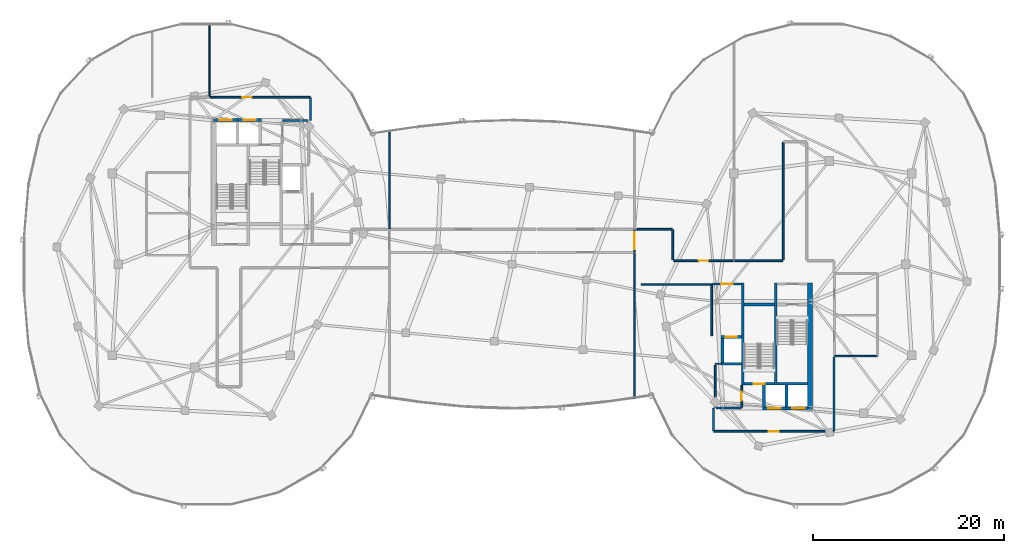
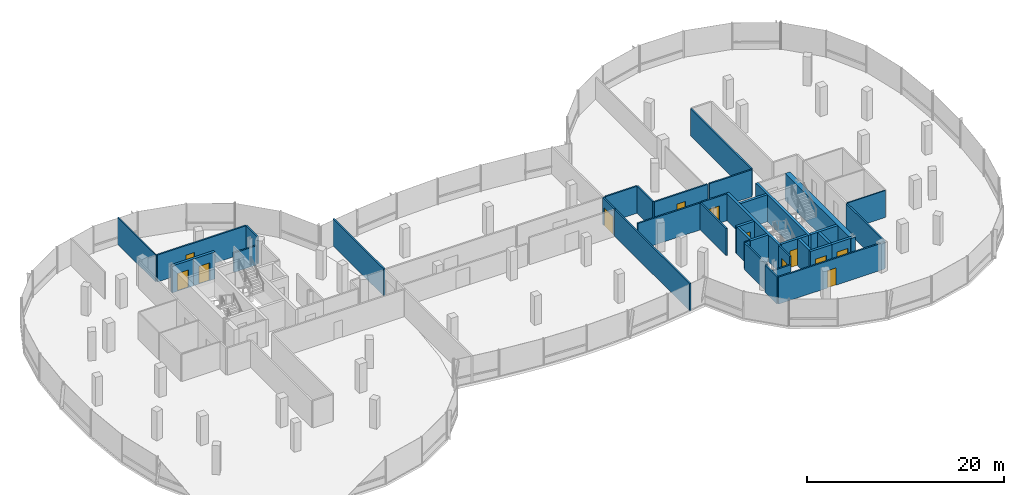
# One storey, part 15 of 24: 38 walls, 12 doors, 12 openings.
"""IFC4 building model written with IfcOpenShell, lengths in metres."""

from ifc_helpers import new_model, si_unit, direction, frame, frame_2d, origin, place, context, subcontext, project, spatial, rectangle, extrude, material, layer, layer_set, type_object, element, fill, save


model = new_model("IFC4")

# Units and contexts
model_context = context("Model", 3, precision=1e-05, world=origin(), true_north=direction((0.0, 1.0)))
body_context = subcontext(model_context, "Body", "Model", "MODEL_VIEW")
ifc_project = project(units=[si_unit("LENGTHUNIT", "METRE"), si_unit("AREAUNIT", "SQUARE_METRE"), si_unit("VOLUMEUNIT", "CUBIC_METRE"), si_unit("PLANEANGLEUNIT", "RADIAN"), si_unit("MASSUNIT", "GRAM", prefix="KILO"), si_unit("THERMODYNAMICTEMPERATUREUNIT", "KELVIN"), si_unit("POWERUNIT", "WATT")], contexts=[model_context])

# Site, building, storey
site_placement = place(None, origin())
site = spatial("IfcSite", under=ifc_project, at=site_placement, CompositionType="ELEMENT")
building_placement = place(site_placement, origin())
building = spatial("IfcBuilding", under=site, at=building_placement, Name="Cundina Bronze Exchange", CompositionType="ELEMENT")
storey_placement = place(building_placement, frame((0.0, 0.0, 268.39990234375)))
storey = spatial("IfcBuildingStorey", under=building, at=storey_placement, Name="L71", CompositionType="ELEMENT", Elevation=268.39990234375)

# Wall
ifc_material_1 = material(Name="Gypsum Fireboard Partition EI120")
ifc_layer_1 = layer(ifc_material_1, 0.179931640625, Name="Gypsum Fireboard Partition EI120")
ifc_layer_set_1 = layer_set([ifc_layer_1], Name="Gypsum Fireboard Partition EI120")
wall_type_1 = type_object("IfcWallType", Name="WL-COR-180", PredefinedType="PARTITIONING", material=ifc_layer_set_1)
wall_1_placement = place(storey_placement, frame((20.889892578125, -7.449951171875, 0.0), z_axis=(0.0, 0.0, 1.0), x_axis=(0.0, 1.0, 0.0)))
element("IfcWall", 1, at=wall_1_placement, inside=storey, type_object=wall_type_1, Name="L71 E Firefighting Lobby Side Wall", PredefinedType="PARTITIONING", context=body_context, shape_type="SweptSolid", body=[
    extrude(rectangle(XDim=5.300048828125, YDim=0.179931640625, at=frame_2d((2.64990234375, 0.0))), origin(), (0.0, 0.0, 1.0), 3.340087890625),
])

# Wall, opening, door
wall_2_placement = place(storey_placement, frame((20.97998046875, -2.06005859375, 0.0), z_axis=(0.0, 0.0, 1.0), x_axis=(1.0, 0.0, 0.0)))
wall_2 = element("IfcWall", 2, at=wall_2_placement, inside=storey, type_object=wall_type_1, Name="L71 E Firefighting Lobby Exit Wall", PredefinedType="PARTITIONING", context=body_context, shape_type="SweptSolid", body=[
    extrude(rectangle(XDim=3.0, YDim=0.179931640625, at=frame_2d((1.5, 0.0))), origin(), (0.0, 0.0, 1.0), 3.340087890625),
])
opening_1_placement = place(wall_2_placement, frame((0.89990234375, 0.0, 0.0)))
opening_1 = element("IfcOpeningElement", 3, at=opening_1_placement, cuts=wall_2, Name="Opening DF-01", PredefinedType="OPENING", context=body_context, shape_type="SweptSolid", body=[
    extrude(rectangle(XDim=1.199951171875, YDim=2.14990234375, at=frame_2d((0.60009765625, 1.074951171875))), frame((0.0, 0.099853515625, 0.0), z_axis=(0.0, -1.0, 0.0), x_axis=(1.0, 0.0, 0.0)), (0.0, 0.0, 1.0), 0.199951171875),
])
ifc_material_2 = material(Name="Steel ASTM A36 Painted", Category="steel")
door_type_1 = type_object("IfcDoorType", Name="DR-FFL-1200", OperationType="NOTDEFINED", PredefinedType="DOOR", material=ifc_material_2)
door_1_placement = place(opening_1_placement, origin())
door_1 = element("IfcDoor", 4, at=door_1_placement, inside=storey, type_object=door_type_1, Name="L71 E Firefighting Lobby Door", OperationType="SINGLE_SWING_LEFT", OverallHeight=2.14990234375, OverallWidth=1.199951171875, PredefinedType="DOOR", context=body_context, shape_type="SweptSolid", body=[
    extrude(rectangle(XDim=1.199951171875, YDim=2.14990234375, at=frame_2d((0.60009765625, 1.074951171875))), frame((0.0, 0.02490234375, 0.0), z_axis=(0.0, -1.0, 0.0), x_axis=(1.0, 0.0, 0.0)), (0.0, 0.0, 1.0), 0.050048828125),
])
fill(opening_1, door_1)

# Wall
wall_3_placement = place(storey_placement, frame((-23.9599609375, 15.030029296875, 0.0), z_axis=(0.0, 0.0, 1.0), x_axis=(1.0, 0.0, 0.0)))
element("IfcWall", 5, at=wall_3_placement, inside=storey, type_object=wall_type_1, Name="L71 Interior Partition 003", PredefinedType="PARTITIONING", context=body_context, shape_type="SweptSolid", body=[
    extrude(rectangle(XDim=2.60986328125, YDim=0.179931640625, at=frame_2d((1.304931640625, 0.0))), origin(), (0.0, 0.0, 1.0), 2.4130859375),
])

# Wall, opening, door
wall_4_placement = place(storey_placement, frame((-21.12158203125, 17.469970703125, 0.0), z_axis=(0.0, 0.0, 1.0), x_axis=(-1.0, 0.0, 0.0)))
wall_4 = element("IfcWall", 6, at=wall_4_placement, inside=storey, type_object=wall_type_1, Name="L71 Interior Partition 022", PredefinedType="PARTITIONING", context=body_context, shape_type="SweptSolid", body=[
    extrude(rectangle(XDim=10.428466796875, YDim=0.179931640625, at=frame_2d((5.21435546875, 0.0))), origin(), (0.0, 0.0, 1.0), 3.340087890625),
])
opening_2_placement = place(wall_4_placement, frame((6.092529296875, 0.0, 0.0)))
opening_2 = element("IfcOpeningElement", 7, at=opening_2_placement, cuts=wall_4, Name="Opening DO-01", PredefinedType="OPENING", context=body_context, shape_type="SweptSolid", body=[
    extrude(rectangle(XDim=1.0, YDim=2.14990234375, at=frame_2d((0.5, 1.074951171875))), frame((0.0, 0.099853515625, 0.0), z_axis=(0.0, -1.0, 0.0), x_axis=(1.0, 0.0, 0.0)), (0.0, 0.0, 1.0), 0.199951171875),
])
ifc_material_3 = material(Name="Solid Andean Oak Timber Grade A", Category="wood")
door_type_2 = type_object("IfcDoorType", Name="DR-OFF-1000", OperationType="NOTDEFINED", PredefinedType="DOOR", material=ifc_material_3)
door_2_placement = place(opening_2_placement, origin())
door_2 = element("IfcDoor", 8, at=door_2_placement, inside=storey, type_object=door_type_2, Name="L71 Interior Door 022", OperationType="SINGLE_SWING_LEFT", OverallHeight=2.14990234375, OverallWidth=1.0, PredefinedType="DOOR", context=body_context, shape_type="SweptSolid", body=[
    extrude(rectangle(XDim=1.0, YDim=2.14990234375, at=frame_2d((0.5, 1.074951171875))), frame((0.0, 0.02490234375, 0.0), z_axis=(0.0, -1.0, 0.0), x_axis=(1.0, 0.0, 0.0)), (0.0, 0.0, 1.0), 0.050048828125),
])
fill(opening_2, door_2)

# Walls
wall_5_placement = place(storey_placement, frame((-21.080078125, 15.071533203125, 0.0), z_axis=(0.0, 0.0, 1.0), x_axis=(0.0, 1.0, 0.0)))
element("IfcWall", 9, at=wall_5_placement, inside=storey, type_object=wall_type_1, Name="L71 Interior Partition 025", PredefinedType="PARTITIONING", context=body_context, shape_type="SweptSolid", body=[
    extrude(rectangle(XDim=2.35693359375, YDim=0.179931640625, at=frame_2d((1.178466796875, 0.0))), origin(), (0.0, 0.0, 1.0), 3.340087890625),
])
wall_6_placement = place(storey_placement, frame((21.25, -14.929931640625, 0.0), z_axis=(0.0, 0.0, 1.0), x_axis=(0.0, 1.0, 0.0)))
element("IfcWall", 10, at=wall_6_placement, inside=storey, type_object=wall_type_1, Name="L71 Interior Partition 028", PredefinedType="PARTITIONING", context=body_context, shape_type="SweptSolid", body=[
    extrude(rectangle(XDim=4.35986328125, YDim=0.179931640625, at=frame_2d((2.179931640625, 0.0))), origin(), (0.0, 0.0, 1.0), 3.340087890625),
])
wall_7_placement = place(storey_placement, frame((21.35009765625, -15.030029296875, 0.0), z_axis=(0.0, 0.0, 1.0), x_axis=(1.0, 0.0, 0.0)))
element("IfcWall", 11, at=wall_7_placement, inside=storey, type_object=wall_type_1, Name="L71 Interior Partition 029", PredefinedType="PARTITIONING", context=body_context, shape_type="SweptSolid", body=[
    extrude(rectangle(XDim=2.60986328125, YDim=0.179931640625, at=frame_2d((1.304931640625, 0.0))), origin(), (0.0, 0.0, 1.0), 2.4130859375),
])

# Wall, opening, door
wall_8_placement = place(storey_placement, frame((24.02001953125, -14.929931640625, 0.0), z_axis=(0.0, 0.0, 1.0), x_axis=(0.0, 1.0, 0.0)))
wall_8 = element("IfcWall", 12, at=wall_8_placement, inside=storey, type_object=wall_type_1, Name="L71 Interior Partition 030", PredefinedType="PARTITIONING", context=body_context, shape_type="SweptSolid", body=[
    extrude(rectangle(XDim=2.260009765625, YDim=0.179931640625, at=frame_2d((1.1298828125, 0.0))), origin(), (0.0, 0.0, 1.0), 3.340087890625),
])
opening_3_placement = place(wall_8_placement, frame((0.655029296875, 0.0, 0.0)))
opening_3 = element("IfcOpeningElement", 13, at=opening_3_placement, cuts=wall_8, Name="Opening DW-01", PredefinedType="OPENING", context=body_context, shape_type="SweptSolid", body=[
    extrude(rectangle(XDim=0.949951171875, YDim=2.10009765625, at=frame_2d((0.47509765625, 1.050048828125))), frame((0.0, 0.099853515625, 0.0), z_axis=(0.0, -1.0, 0.0), x_axis=(1.0, 0.0, 0.0)), (0.0, 0.0, 1.0), 0.199951171875),
])
door_type_3 = type_object("IfcDoorType", Name="DR-WC-950", OperationType="NOTDEFINED", PredefinedType="DOOR", material=ifc_material_3)
door_3_placement = place(opening_3_placement, origin())
door_3 = element("IfcDoor", 14, at=door_3_placement, inside=storey, type_object=door_type_3, Name="L71 Interior Door 030", OperationType="SINGLE_SWING_RIGHT", OverallHeight=2.10009765625, OverallWidth=0.949951171875, PredefinedType="DOOR", context=body_context, shape_type="SweptSolid", body=[
    extrude(rectangle(XDim=0.949951171875, YDim=2.10009765625, at=frame_2d((0.47509765625, 1.050048828125))), frame((0.0, 0.02490234375, 0.0), z_axis=(0.0, -1.0, 0.0), x_axis=(1.0, 0.0, 0.0)), (0.0, 0.0, 1.0), 0.050048828125),
])
fill(opening_3, door_3)

wall_9_placement = place(storey_placement, frame((21.12158203125, -17.469970703125, 0.0), z_axis=(0.0, 0.0, 1.0), x_axis=(1.0, 0.0, 0.0)))
wall_9 = element("IfcWall", 15, at=wall_9_placement, inside=storey, type_object=wall_type_1, Name="L71 Interior Partition 039", PredefinedType="PARTITIONING", context=body_context, shape_type="SweptSolid", body=[
    extrude(rectangle(XDim=12.5068359375, YDim=0.179931640625, at=frame_2d((6.25341796875, 0.0))), origin(), (0.0, 0.0, 1.0), 3.340087890625),
])
opening_4_placement = place(wall_9_placement, frame((5.75341796875, 0.0, 0.0)))
opening_4 = element("IfcOpeningElement", 16, at=opening_4_placement, cuts=wall_9, Name="Opening DO-01", PredefinedType="OPENING", context=body_context, shape_type="SweptSolid", body=[
    extrude(rectangle(XDim=1.0, YDim=2.14990234375, at=frame_2d((0.5, 1.074951171875))), frame((0.0, 0.099853515625, 0.0), z_axis=(0.0, -1.0, 0.0), x_axis=(1.0, 0.0, 0.0)), (0.0, 0.0, 1.0), 0.199951171875),
])
door_4_placement = place(opening_4_placement, origin())
door_4 = element("IfcDoor", 17, at=door_4_placement, inside=storey, type_object=door_type_2, Name="L71 Interior Door 039", OperationType="SINGLE_SWING_RIGHT", OverallHeight=2.14990234375, OverallWidth=1.0, PredefinedType="DOOR", context=body_context, shape_type="SweptSolid", body=[
    extrude(rectangle(XDim=1.0, YDim=2.14990234375, at=frame_2d((0.5, 1.074951171875))), frame((0.0, 0.02490234375, 0.0), z_axis=(0.0, -1.0, 0.0), x_axis=(1.0, 0.0, 0.0)), (0.0, 0.0, 1.0), 0.050048828125),
])
fill(opening_4, door_4)

# Walls
wall_10_placement = place(storey_placement, frame((28.3798828125, 12.778564453125, 0.0), z_axis=(0.0, 0.0, 1.0), x_axis=(0.0, -1.0, 0.0)))
element("IfcWall", 18, at=wall_10_placement, inside=storey, type_object=wall_type_1, Name="L71 Interior Partition 041", PredefinedType="PARTITIONING", context=body_context, shape_type="SweptSolid", body=[
    extrude(rectangle(XDim=12.32861328125, YDim=0.179931640625, at=frame_2d((6.164306640625, 0.0))), origin(), (0.0, 0.0, 1.0), 3.340087890625),
])
wall_11_placement = place(storey_placement, frame((33.669921875, -17.428466796875, 0.0), z_axis=(0.0, 0.0, 1.0), x_axis=(0.0, 1.0, 0.0)))
element("IfcWall", 19, at=wall_11_placement, inside=storey, type_object=wall_type_1, Name="L71 Interior Partition 042", PredefinedType="PARTITIONING", context=body_context, shape_type="SweptSolid", body=[
    extrude(rectangle(XDim=7.72705078125, YDim=0.179931640625, at=frame_2d((3.863525390625, 0.0))), origin(), (0.0, 0.0, 1.0), 3.340087890625),
])
wall_12_placement = place(storey_placement, frame((13.521484375, -2.10009765625, 0.0), z_axis=(0.0, 0.0, 1.0), x_axis=(1.0, 0.0, 0.0)))
element("IfcWall", 20, at=wall_12_placement, inside=storey, type_object=wall_type_1, Name="L71 Interior Partition 043", PredefinedType="PARTITIONING", context=body_context, shape_type="SweptSolid", body=[
    extrude(rectangle(XDim=7.3984375, YDim=0.179931640625, at=frame_2d((3.69921875, 0.0))), origin(), (0.0, 0.0, 1.0), 3.340087890625),
])
wall_13_placement = place(storey_placement, frame((28.300048828125, 0.3701171875, 0.0), z_axis=(0.0, 0.0, 1.0), x_axis=(-1.0, 0.0, 0.0)))
element("IfcWall", 21, at=wall_13_placement, inside=storey, type_object=wall_type_1, Name="L71 Interior Partition 044", PredefinedType="PARTITIONING", context=body_context, shape_type="SweptSolid", body=[
    extrude(rectangle(XDim=4.989990234375, YDim=0.179931640625, at=frame_2d((2.4951171875, 0.0))), origin(), (0.0, 0.0, 1.0), 3.340087890625),
])
wall_14_placement = place(storey_placement, frame((21.080078125, -15.071533203125, 0.0), z_axis=(0.0, 0.0, 1.0), x_axis=(0.0, -1.0, 0.0)))
element("IfcWall", 22, at=wall_14_placement, inside=storey, type_object=wall_type_1, Name="L71 Interior Partition 047", PredefinedType="PARTITIONING", context=body_context, shape_type="SweptSolid", body=[
    extrude(rectangle(XDim=2.35693359375, YDim=0.179931640625, at=frame_2d((1.178466796875, 0.0))), origin(), (0.0, 0.0, 1.0), 3.340087890625),
])

# Wall, opening, door
wall_15_placement = place(storey_placement, frame((23.1298828125, 0.3701171875, 0.0), z_axis=(0.0, 0.0, 1.0), x_axis=(-1.0, 0.0, 0.0)))
wall_15 = element("IfcWall", 23, at=wall_15_placement, inside=storey, type_object=wall_type_1, Name="L71 Interior Partition 049", PredefinedType="PARTITIONING", context=body_context, shape_type="SweptSolid", body=[
    extrude(rectangle(XDim=6.22998046875, YDim=0.179931640625, at=frame_2d((3.114990234375, 0.0))), origin(), (0.0, 0.0, 1.0), 3.340087890625),
])
opening_5_placement = place(wall_15_placement, frame((2.614990234375, 0.0, 0.0)))
opening_5 = element("IfcOpeningElement", 24, at=opening_5_placement, cuts=wall_15, Name="Opening DO-01", PredefinedType="OPENING", context=body_context, shape_type="SweptSolid", body=[
    extrude(rectangle(XDim=1.0, YDim=2.14990234375, at=frame_2d((0.5, 1.074951171875))), frame((0.0, 0.099853515625, 0.0), z_axis=(0.0, -1.0, 0.0), x_axis=(1.0, 0.0, 0.0)), (0.0, 0.0, 1.0), 0.199951171875),
])
door_5_placement = place(opening_5_placement, origin())
door_5 = element("IfcDoor", 25, at=door_5_placement, inside=storey, type_object=door_type_2, Name="L71 Interior Door 049", OperationType="SINGLE_SWING_RIGHT", OverallHeight=2.14990234375, OverallWidth=1.0, PredefinedType="DOOR", context=body_context, shape_type="SweptSolid", body=[
    extrude(rectangle(XDim=1.0, YDim=2.14990234375, at=frame_2d((0.5, 1.074951171875))), frame((0.0, 0.02490234375, 0.0), z_axis=(0.0, -1.0, 0.0), x_axis=(1.0, 0.0, 0.0)), (0.0, 0.0, 1.0), 0.050048828125),
])
fill(opening_5, door_5)

# Walls
wall_16_placement = place(storey_placement, frame((16.778564453125, 3.669921875, 0.0), z_axis=(0.0, 0.0, 1.0), x_axis=(-1.0, 0.0, 0.0)))
element("IfcWall", 26, at=wall_16_placement, inside=storey, type_object=wall_type_1, Name="L71 Interior Partition 050", PredefinedType="PARTITIONING", context=body_context, shape_type="SweptSolid", body=[
    extrude(rectangle(XDim=3.7529296875, YDim=0.179931640625, at=frame_2d((1.87646484375, 0.0))), origin(), (0.0, 0.0, 1.0), 3.340087890625),
])
wall_17_placement = place(storey_placement, frame((16.820068359375, 0.449951171875, 0.0), z_axis=(0.0, 0.0, 1.0), x_axis=(0.0, 1.0, 0.0)))
element("IfcWall", 27, at=wall_17_placement, inside=storey, type_object=wall_type_1, Name="L71 Interior Partition 051", PredefinedType="PARTITIONING", context=body_context, shape_type="SweptSolid", body=[
    extrude(rectangle(XDim=3.178466796875, YDim=0.179931640625, at=frame_2d((1.58935546875, 0.0))), origin(), (0.0, 0.0, 1.0), 3.340087890625),
])
wall_18_placement = place(storey_placement, frame((-12.800048828125, 3.739990234375, 0.0), z_axis=(0.0, 0.0, 1.0), x_axis=(0.0, 1.0, 0.0)))
element("IfcWall", 28, at=wall_18_placement, inside=storey, type_object=wall_type_1, Name="L71 Interior Partition 058", PredefinedType="PARTITIONING", context=body_context, shape_type="SweptSolid", body=[
    extrude(rectangle(XDim=10.3037109375, YDim=0.179931640625, at=frame_2d((5.15185546875, 0.0))), origin(), (0.0, 0.0, 1.0), 3.340087890625),
])
wall_19_placement = place(storey_placement, frame((12.800048828125, -14.043701171875, 0.0), z_axis=(0.0, 0.0, 1.0), x_axis=(0.0, 1.0, 0.0)))
element("IfcWall", 29, at=wall_19_placement, inside=storey, type_object=wall_type_1, Name="L71 Interior Partition 060", PredefinedType="PARTITIONING", context=body_context, shape_type="SweptSolid", body=[
    extrude(rectangle(XDim=15.20361328125, YDim=0.179931640625, at=frame_2d((7.601806640625, 0.0))), origin(), (0.0, 0.0, 1.0), 3.340087890625),
])

# Wall, opening, door
wall_20_placement = place(storey_placement, frame((12.800048828125, 1.280029296875, 0.0), z_axis=(0.0, 0.0, 1.0), x_axis=(0.0, 1.0, 0.0)))
wall_20 = element("IfcWall", 30, at=wall_20_placement, inside=storey, type_object=wall_type_1, Name="L71 Interior Partition 062", PredefinedType="PARTITIONING", context=body_context, shape_type="SweptSolid", body=[
    extrude(rectangle(XDim=2.340087890625, YDim=0.179931640625, at=frame_2d((1.169921875, 0.0))), origin(), (0.0, 0.0, 1.0), 3.340087890625),
])
opening_6_placement = place(wall_20_placement, frame((0.27001953125, 0.0, 0.0)))
opening_6 = element("IfcOpeningElement", 31, at=opening_6_placement, cuts=wall_20, Name="Opening DB-01", PredefinedType="OPENING", context=body_context, shape_type="SweptSolid", body=[
    extrude(rectangle(XDim=1.800048828125, YDim=2.25, at=frame_2d((0.89990234375, 1.125))), frame((0.0, 0.099853515625, 0.0), z_axis=(0.0, -1.0, 0.0), x_axis=(1.0, 0.0, 0.0)), (0.0, 0.0, 1.0), 0.199951171875),
])
door_type_4 = type_object("IfcDoorType", Name="DR-BRG-1800", OperationType="NOTDEFINED", PredefinedType="DOOR", material=ifc_material_2)
door_6_placement = place(opening_6_placement, origin())
door_6 = element("IfcDoor", 32, at=door_6_placement, inside=storey, type_object=door_type_4, Name="L71 Interior Door 062", OperationType="DOUBLE_DOOR_SINGLE_SWING", OverallHeight=2.25, OverallWidth=1.800048828125, PredefinedType="DOOR", context=body_context, shape_type="SweptSolid", body=[
    extrude(rectangle(XDim=1.800048828125, YDim=2.25, at=frame_2d((0.89990234375, 1.125))), frame((0.0, 0.02490234375, 0.0), z_axis=(0.0, -1.0, 0.0), x_axis=(1.0, 0.0, 0.0)), (0.0, 0.0, 1.0), 0.050048828125),
])
fill(opening_6, door_6)

# Walls
ifc_material_4 = material(Name="Concrete C50/60", Category="concrete")
ifc_layer_2 = layer(ifc_material_4, 0.550048828125, Name="Concrete C50/60", Category="concrete")
ifc_layer_set_2 = layer_set([ifc_layer_2], Name="Concrete C50/60")
wall_type_2 = type_object("IfcWallType", Name="WL-CORE-550", PredefinedType="SHEAR", material=ifc_layer_set_2)
wall_21_placement = place(storey_placement, frame((31.175048828125, -15.300048828125, 0.0), z_axis=(0.0, 0.0, 1.0), x_axis=(0.0, 1.0, 0.0)))
element("IfcWall", 33, at=wall_21_placement, inside=storey, type_object=wall_type_2, Name="L71 E Primary Core Shear Spine Wall", PredefinedType="SHEAR", context=body_context, shape_type="SweptSolid", body=[
    extrude(rectangle(XDim=13.330078125, YDim=0.550048828125, at=frame_2d((6.6650390625, 0.0))), origin(), (0.0, 0.0, 1.0), 3.340087890625),
])
ifc_material_5 = material(Name="Gypsum Acoustic Partition EI60")
ifc_layer_3 = layer(ifc_material_5, 0.125, Name="Gypsum Acoustic Partition EI60")
ifc_layer_set_3 = layer_set([ifc_layer_3], Name="Gypsum Acoustic Partition EI60")
wall_type_3 = type_object("IfcWallType", Name="WL-OFF-125", PredefinedType="PARTITIONING", material=ifc_layer_set_3)
wall_22_placement = place(storey_placement, frame((-31.639892578125, 17.5, 0.0), z_axis=(0.0, 0.0, 1.0), x_axis=(0.0, 1.0, 0.0)))
element("IfcWall", 34, at=wall_22_placement, inside=storey, type_object=wall_type_3, Name="L71 Interior Partition 013", PredefinedType="PARTITIONING", context=body_context, shape_type="SweptSolid", body=[
    extrude(rectangle(XDim=7.68994140625, YDim=0.125, at=frame_2d((3.844970703125, 0.0))), origin(), (0.0, 0.0, 1.0), 3.340087890625),
])

# Wall, opening, door
ifc_layer_4 = layer(ifc_material_4, 0.300048828125, Name="Concrete C50/60", Category="concrete")
ifc_layer_set_4 = layer_set([ifc_layer_4], Name="Concrete C50/60")
wall_type_4 = type_object("IfcWallType", Name="WL-SHFT-300", PredefinedType="SHEAR", material=ifc_layer_set_4)
wall_23_placement = place(storey_placement, frame((-31.199951171875, 15.10009765625, 0.0), z_axis=(0.0, 0.0, 1.0), x_axis=(1.0, 0.0, 0.0)))
wall_23 = element("IfcWall", 35, at=wall_23_placement, inside=storey, type_object=wall_type_4, Name="L71 PH-W1 Hoistway Front Wall", PredefinedType="SHEAR", context=body_context, shape_type="SweptSolid", body=[
    extrude(rectangle(XDim=2.5, YDim=0.300048828125, at=frame_2d((1.25, 0.0))), origin(), (0.0, 0.0, 1.0), 3.340087890625),
])
opening_7_placement = place(wall_23_placement, frame((0.60009765625, 0.0, 0.0)))
opening_7 = element("IfcOpeningElement", 36, at=opening_7_placement, cuts=wall_23, Name="Opening LD-02", PredefinedType="OPENING", context=body_context, shape_type="SweptSolid", body=[
    extrude(rectangle(XDim=1.300048828125, YDim=2.199951171875, at=frame_2d((0.64990234375, 1.10009765625))), frame((0.0, 0.159912109375, 0.0), z_axis=(0.0, -1.0, 0.0), x_axis=(1.0, 0.0, 0.0)), (0.0, 0.0, 1.0), 0.320068359375),
])
door_type_5 = type_object("IfcDoorType", Name="DR-LND-1300", OperationType="NOTDEFINED", PredefinedType="TRAPDOOR", material=ifc_material_2)
door_7_placement = place(opening_7_placement, origin())
door_7 = element("IfcDoor", 37, at=door_7_placement, inside=storey, type_object=door_type_5, Name="L71 PH-W1 Sliding Landing Door", OperationType="SLIDING_TO_LEFT", OverallHeight=2.199951171875, OverallWidth=1.300048828125, PredefinedType="TRAPDOOR", context=body_context, shape_type="SweptSolid", body=[
    extrude(rectangle(XDim=1.300048828125, YDim=2.199951171875, at=frame_2d((0.64990234375, 1.10009765625))), frame((0.0, 0.02490234375, 0.0), z_axis=(0.0, -1.0, 0.0), x_axis=(1.0, 0.0, 0.0)), (0.0, 0.0, 1.0), 0.050048828125),
])
fill(opening_7, door_7)

wall_24_placement = place(storey_placement, frame((-28.699951171875, 15.10009765625, 0.0), z_axis=(0.0, 0.0, 1.0), x_axis=(1.0, 0.0, 0.0)))
wall_24 = element("IfcWall", 38, at=wall_24_placement, inside=storey, type_object=wall_type_4, Name="L71 PH-W2 Hoistway Front Wall", PredefinedType="SHEAR", context=body_context, shape_type="SweptSolid", body=[
    extrude(rectangle(XDim=2.5, YDim=0.300048828125, at=frame_2d((1.25, 0.0))), origin(), (0.0, 0.0, 1.0), 3.340087890625),
])
opening_8_placement = place(wall_24_placement, frame((0.60009765625, 0.0, 0.0)))
opening_8 = element("IfcOpeningElement", 39, at=opening_8_placement, cuts=wall_24, Name="Opening LD-02", PredefinedType="OPENING", context=body_context, shape_type="SweptSolid", body=[
    extrude(rectangle(XDim=1.300048828125, YDim=2.199951171875, at=frame_2d((0.64990234375, 1.10009765625))), frame((0.0, 0.159912109375, 0.0), z_axis=(0.0, -1.0, 0.0), x_axis=(1.0, 0.0, 0.0)), (0.0, 0.0, 1.0), 0.320068359375),
])
door_8_placement = place(opening_8_placement, origin())
door_8 = element("IfcDoor", 40, at=door_8_placement, inside=storey, type_object=door_type_5, Name="L71 PH-W2 Sliding Landing Door", OperationType="SLIDING_TO_LEFT", OverallHeight=2.199951171875, OverallWidth=1.300048828125, PredefinedType="TRAPDOOR", context=body_context, shape_type="SweptSolid", body=[
    extrude(rectangle(XDim=1.300048828125, YDim=2.199951171875, at=frame_2d((0.64990234375, 1.10009765625))), frame((0.0, 0.02490234375, 0.0), z_axis=(0.0, -1.0, 0.0), x_axis=(1.0, 0.0, 0.0)), (0.0, 0.0, 1.0), 0.050048828125),
])
fill(opening_8, door_8)

# Walls
for number, where, z_axis, x_axis, name in (
    (41, (27.590087890625, -12.64990234375, 0.0), (0.0, 0.0, 1.0), (0.0, 1.0, 0.0), "L71 E Stair Shaft Dividing Shear Wall"),
    (42, (24.1298828125, -12.64990234375, 0.0), (0.0, 0.0, 1.0), (0.0, 1.0, 0.0), "L71 E Stair 2 East Shear Wall"),
):
    element("IfcWall", number, at=place(storey_placement, frame(where, z_axis=z_axis, x_axis=x_axis)), inside=storey, type_object=wall_type_4, Name=name, PredefinedType="SHEAR", context=body_context, shape_type="SweptSolid", body=[
        extrude(rectangle(XDim=10.679931640625, YDim=0.300048828125, at=frame_2d((5.33984375, 0.0))), origin(), (0.0, 0.0, 1.0), 3.340087890625),
    ])
wall_25_placement = place(storey_placement, frame((27.739990234375, -12.5, 0.0), z_axis=(0.0, 0.0, 1.0), x_axis=(1.0, 0.0, 0.0)))
element("IfcWall", 43, at=wall_25_placement, inside=storey, type_object=wall_type_4, Name="L71 Stair E1 Far Shaft Wall", PredefinedType="SHEAR", context=body_context, shape_type="SweptSolid", body=[
    extrude(rectangle(XDim=3.159912109375, YDim=0.300048828125, at=frame_2d((1.580078125, 0.0))), origin(), (0.0, 0.0, 1.0), 3.340087890625),
])

# Wall, opening, door
wall_26_placement = place(storey_placement, frame((24.280029296875, -12.5, 0.0), z_axis=(0.0, 0.0, 1.0), x_axis=(1.0, 0.0, 0.0)))
wall_26 = element("IfcWall", 44, at=wall_26_placement, inside=storey, type_object=wall_type_4, Name="L71 Stair E2 Landing Wall", PredefinedType="SHEAR", context=body_context, shape_type="SweptSolid", body=[
    extrude(rectangle(XDim=3.159912109375, YDim=0.300048828125, at=frame_2d((1.580078125, 0.0))), origin(), (0.0, 0.0, 1.0), 3.340087890625),
])
opening_9_placement = place(wall_26_placement, frame((1.030029296875, 0.0, 0.0)))
opening_9 = element("IfcOpeningElement", 45, at=opening_9_placement, cuts=wall_26, Name="Opening DS-01", PredefinedType="OPENING", context=body_context, shape_type="SweptSolid", body=[
    extrude(rectangle(XDim=1.10009765625, YDim=2.14990234375, at=frame_2d((0.550048828125, 1.074951171875))), frame((0.0, 0.159912109375, 0.0), z_axis=(0.0, -1.0, 0.0), x_axis=(1.0, 0.0, 0.0)), (0.0, 0.0, 1.0), 0.320068359375),
])
door_type_6 = type_object("IfcDoorType", Name="DR-STR-1100", OperationType="NOTDEFINED", PredefinedType="DOOR", material=ifc_material_2)
door_9_placement = place(opening_9_placement, origin())
door_9 = element("IfcDoor", 46, at=door_9_placement, inside=storey, type_object=door_type_6, Name="L71 Smokeproof Stair E2 Door", OperationType="SINGLE_SWING_RIGHT", OverallHeight=2.14990234375, OverallWidth=1.10009765625, PredefinedType="DOOR", context=body_context, shape_type="SweptSolid", body=[
    extrude(rectangle(XDim=1.10009765625, YDim=2.14990234375, at=frame_2d((0.550048828125, 1.074951171875))), frame((0.0, 0.02490234375, 0.0), z_axis=(0.0, -1.0, 0.0), x_axis=(1.0, 0.0, 0.0)), (0.0, 0.0, 1.0), 0.050048828125),
])
fill(opening_9, door_9)

# Wall
wall_27_placement = place(storey_placement, frame((24.280029296875, -4.199951171875, 0.0), z_axis=(0.0, 0.0, 1.0), x_axis=(1.0, 0.0, 0.0)))
element("IfcWall", 47, at=wall_27_placement, inside=storey, type_object=wall_type_4, Name="L71 Stair E2 Far Shaft Wall", PredefinedType="SHEAR", context=body_context, shape_type="SweptSolid", body=[
    extrude(rectangle(XDim=3.159912109375, YDim=0.300048828125, at=frame_2d((1.580078125, 0.0))), origin(), (0.0, 0.0, 1.0), 3.340087890625),
])

# Wall, opening, door
wall_28_placement = place(storey_placement, frame((21.8798828125, -7.60009765625, 0.0), z_axis=(0.0, 0.0, 1.0), x_axis=(1.0, 0.0, 0.0)))
wall_28 = element("IfcWall", 48, at=wall_28_placement, inside=storey, type_object=wall_type_4, Name="L71 FFL-E Hoistway Front Wall", PredefinedType="SHEAR", context=body_context, shape_type="SweptSolid", body=[
    extrude(rectangle(XDim=2.10009765625, YDim=0.300048828125, at=frame_2d((1.050048828125, 0.0))), origin(), (0.0, 0.0, 1.0), 3.340087890625),
])
opening_10_placement = place(wall_28_placement, frame((0.47509765625, 0.0, 0.0)))
opening_10 = element("IfcOpeningElement", 49, at=opening_10_placement, cuts=wall_28, Name="Opening LD-01", PredefinedType="OPENING", context=body_context, shape_type="SweptSolid", body=[
    extrude(rectangle(XDim=1.14990234375, YDim=2.199951171875, at=frame_2d((0.574951171875, 1.10009765625))), frame((0.0, 0.159912109375, 0.0), z_axis=(0.0, -1.0, 0.0), x_axis=(1.0, 0.0, 0.0)), (0.0, 0.0, 1.0), 0.320068359375),
])
door_type_7 = type_object("IfcDoorType", Name="DR-LND-1150", OperationType="NOTDEFINED", PredefinedType="TRAPDOOR", material=ifc_material_2)
door_10_placement = place(opening_10_placement, origin())
door_10 = element("IfcDoor", 50, at=door_10_placement, inside=storey, type_object=door_type_7, Name="L71 FFL-E Sliding Landing Door", OperationType="SLIDING_TO_LEFT", OverallHeight=2.199951171875, OverallWidth=1.14990234375, PredefinedType="TRAPDOOR", context=body_context, shape_type="SweptSolid", body=[
    extrude(rectangle(XDim=1.14990234375, YDim=2.199951171875, at=frame_2d((0.574951171875, 1.10009765625))), frame((0.0, 0.02490234375, 0.0), z_axis=(0.0, -1.0, 0.0), x_axis=(1.0, 0.0, 0.0)), (0.0, 0.0, 1.0), 0.050048828125),
])
fill(opening_10, door_10)

# Walls
wall_29_placement = place(storey_placement, frame((21.8798828125, -10.39990234375, 0.0), z_axis=(0.0, 0.0, 1.0), x_axis=(1.0, 0.0, 0.0)))
element("IfcWall", 51, at=wall_29_placement, inside=storey, type_object=wall_type_4, Name="L71 FFL-E Hoistway Back Wall", PredefinedType="SHEAR", context=body_context, shape_type="SweptSolid", body=[
    extrude(rectangle(XDim=2.10009765625, YDim=0.300048828125, at=frame_2d((1.050048828125, 0.0))), origin(), (0.0, 0.0, 1.0), 3.340087890625),
])
wall_30_placement = place(storey_placement, frame((22.030029296875, -10.25, 0.0), z_axis=(0.0, 0.0, 1.0), x_axis=(0.0, 1.0, 0.0)))
element("IfcWall", 52, at=wall_30_placement, inside=storey, type_object=wall_type_4, Name="L71 FFL-E Hoistway Side Wall", PredefinedType="SHEAR", context=body_context, shape_type="SweptSolid", body=[
    extrude(rectangle(XDim=2.5, YDim=0.300048828125, at=frame_2d((1.25, 0.0))), origin(), (0.0, 0.0, 1.0), 3.340087890625),
])

# Wall, opening, door
wall_31_placement = place(storey_placement, frame((28.699951171875, -15.10009765625, 0.0), z_axis=(0.0, 0.0, 1.0), x_axis=(1.0, 0.0, 0.0)))
wall_31 = element("IfcWall", 53, at=wall_31_placement, inside=storey, type_object=wall_type_4, Name="L71 PH-E1 Hoistway Front Wall", PredefinedType="SHEAR", context=body_context, shape_type="SweptSolid", body=[
    extrude(rectangle(XDim=2.5, YDim=0.300048828125, at=frame_2d((1.25, 0.0))), origin(), (0.0, 0.0, 1.0), 3.340087890625),
])
opening_11_placement = place(wall_31_placement, frame((0.60009765625, 0.0, 0.0)))
opening_11 = element("IfcOpeningElement", 54, at=opening_11_placement, cuts=wall_31, Name="Opening LD-02", PredefinedType="OPENING", context=body_context, shape_type="SweptSolid", body=[
    extrude(rectangle(XDim=1.300048828125, YDim=2.199951171875, at=frame_2d((0.64990234375, 1.10009765625))), frame((0.0, 0.159912109375, 0.0), z_axis=(0.0, -1.0, 0.0), x_axis=(1.0, 0.0, 0.0)), (0.0, 0.0, 1.0), 0.320068359375),
])
door_11_placement = place(opening_11_placement, origin())
door_11 = element("IfcDoor", 55, at=door_11_placement, inside=storey, type_object=door_type_5, Name="L71 PH-E1 Sliding Landing Door", OperationType="SLIDING_TO_LEFT", OverallHeight=2.199951171875, OverallWidth=1.300048828125, PredefinedType="TRAPDOOR", context=body_context, shape_type="SweptSolid", body=[
    extrude(rectangle(XDim=1.300048828125, YDim=2.199951171875, at=frame_2d((0.64990234375, 1.10009765625))), frame((0.0, 0.02490234375, 0.0), z_axis=(0.0, -1.0, 0.0), x_axis=(1.0, 0.0, 0.0)), (0.0, 0.0, 1.0), 0.050048828125),
])
fill(opening_11, door_11)

# Wall
wall_32_placement = place(storey_placement, frame((28.699951171875, -14.949951171875, 0.0), z_axis=(0.0, 0.0, 1.0), x_axis=(0.0, 1.0, 0.0)))
element("IfcWall", 56, at=wall_32_placement, inside=storey, type_object=wall_type_4, Name="L71 PH-E1 Hoistway Divider Wall", PredefinedType="SHEAR", context=body_context, shape_type="SweptSolid", body=[
    extrude(rectangle(XDim=2.300048828125, YDim=0.300048828125, at=frame_2d((1.14990234375, 0.0))), origin(), (0.0, 0.0, 1.0), 3.340087890625),
])

# Wall, opening, door
wall_33_placement = place(storey_placement, frame((26.199951171875, -15.10009765625, 0.0), z_axis=(0.0, 0.0, 1.0), x_axis=(1.0, 0.0, 0.0)))
wall_33 = element("IfcWall", 57, at=wall_33_placement, inside=storey, type_object=wall_type_4, Name="L71 PH-E2 Hoistway Front Wall", PredefinedType="SHEAR", context=body_context, shape_type="SweptSolid", body=[
    extrude(rectangle(XDim=2.5, YDim=0.300048828125, at=frame_2d((1.25, 0.0))), origin(), (0.0, 0.0, 1.0), 3.340087890625),
])
opening_12_placement = place(wall_33_placement, frame((0.60009765625, 0.0, 0.0)))
opening_12 = element("IfcOpeningElement", 58, at=opening_12_placement, cuts=wall_33, Name="Opening LD-02", PredefinedType="OPENING", context=body_context, shape_type="SweptSolid", body=[
    extrude(rectangle(XDim=1.300048828125, YDim=2.199951171875, at=frame_2d((0.64990234375, 1.10009765625))), frame((0.0, 0.159912109375, 0.0), z_axis=(0.0, -1.0, 0.0), x_axis=(1.0, 0.0, 0.0)), (0.0, 0.0, 1.0), 0.320068359375),
])
door_12_placement = place(opening_12_placement, origin())
door_12 = element("IfcDoor", 59, at=door_12_placement, inside=storey, type_object=door_type_5, Name="L71 PH-E2 Sliding Landing Door", OperationType="SLIDING_TO_LEFT", OverallHeight=2.199951171875, OverallWidth=1.300048828125, PredefinedType="TRAPDOOR", context=body_context, shape_type="SweptSolid", body=[
    extrude(rectangle(XDim=1.300048828125, YDim=2.199951171875, at=frame_2d((0.64990234375, 1.10009765625))), frame((0.0, 0.02490234375, 0.0), z_axis=(0.0, -1.0, 0.0), x_axis=(1.0, 0.0, 0.0)), (0.0, 0.0, 1.0), 0.050048828125),
])
fill(opening_12, door_12)

# Walls
wall_34_placement = place(storey_placement, frame((26.35009765625, -14.949951171875, 0.0), z_axis=(0.0, 0.0, 1.0), x_axis=(0.0, 1.0, 0.0)))
element("IfcWall", 60, at=wall_34_placement, inside=storey, type_object=wall_type_4, Name="L71 PH-E2 Hoistway Divider Wall", PredefinedType="SHEAR", context=body_context, shape_type="SweptSolid", body=[
    extrude(rectangle(XDim=2.300048828125, YDim=0.300048828125, at=frame_2d((1.14990234375, 0.0))), origin(), (0.0, 0.0, 1.0), 3.340087890625),
])
ifc_material_6 = material(Name="Moisture-Resistant Masonry Block Grade M15", Category="masonry")
ifc_layer_5 = layer(ifc_material_6, 0.139892578125, Name="Moisture-Resistant Masonry Block Grade M15", Category="masonry")
ifc_layer_set_5 = layer_set([ifc_layer_5], Name="Moisture-Resistant Masonry Block Grade M15")
wall_type_5 = type_object("IfcWallType", Name="WL-WET-140", PredefinedType="PARTITIONING", material=ifc_layer_set_5)
wall_35_placement = place(storey_placement, frame((21.27001953125, -10.39990234375, 0.0), z_axis=(0.0, 0.0, 1.0), x_axis=(1.0, 0.0, 0.0)))
element("IfcWall", 61, at=wall_35_placement, inside=storey, type_object=wall_type_5, Name="L71 Interior Partition 027", PredefinedType="PARTITIONING", context=body_context, shape_type="SweptSolid", body=[
    extrude(rectangle(XDim=0.590087890625, YDim=0.139892578125, at=frame_2d((0.294921875, 0.0))), origin(), (0.0, 0.0, 1.0), 3.340087890625),
])
wall_36_placement = place(storey_placement, frame((33.739990234375, -9.610107421875, 0.0), z_axis=(0.0, 0.0, 1.0), x_axis=(1.0, 0.0, 0.0)))
element("IfcWall", 62, at=wall_36_placement, inside=storey, type_object=wall_type_5, Name="L71 Interior Partition 035", PredefinedType="PARTITIONING", context=body_context, shape_type="SweptSolid", body=[
    extrude(rectangle(XDim=4.47998046875, YDim=0.139892578125, at=frame_2d((2.239990234375, 0.0))), origin(), (0.0, 0.0, 1.0), 3.340087890625),
])

save(model, "model.ifc")
